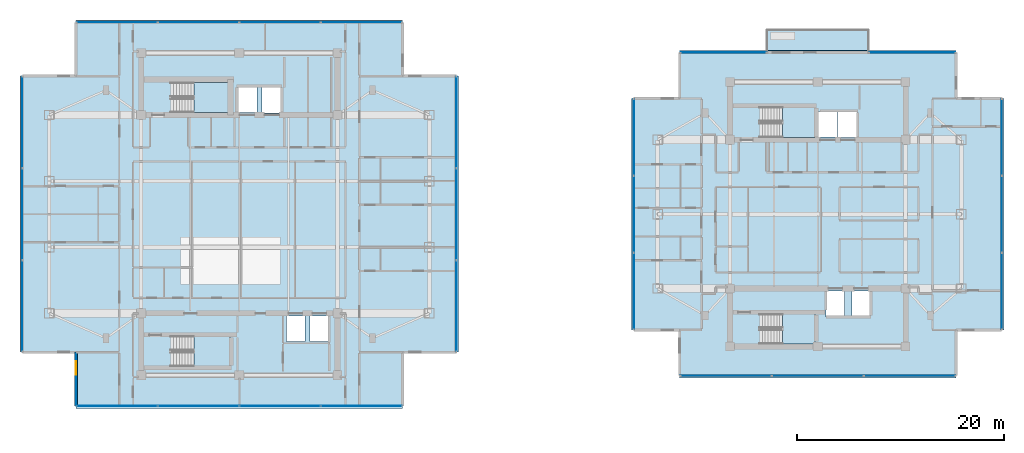
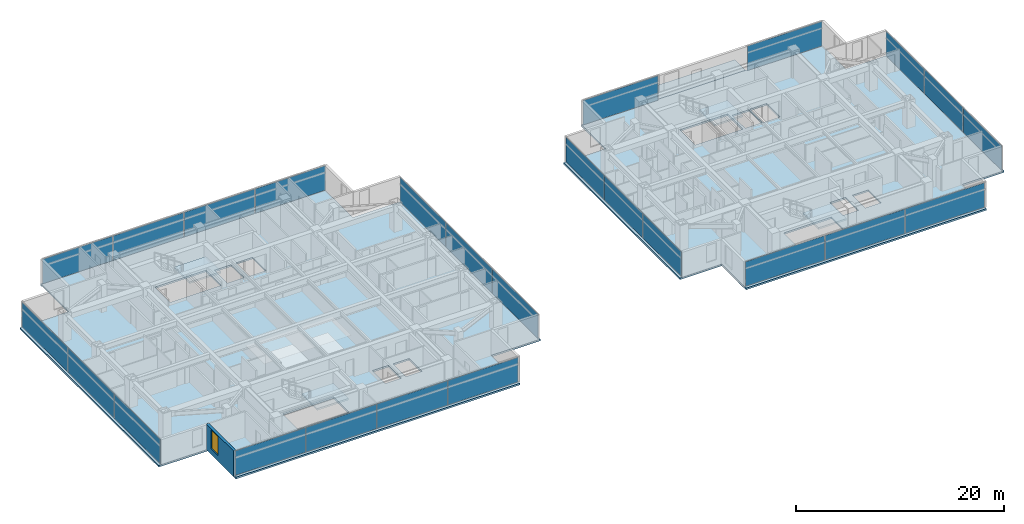
# One storey, part 12 of 26: 25 plates, 7 slabs, 1 wall, 1 window, 1 opening, 13 elements without a shape of their own.
"""IFC4 building model written with IfcOpenShell, lengths in metres."""

from ifc_helpers import new_model, si_unit, direction, frame, frame_2d, origin, origin_2d, place, context, subcontext, project, spatial, polyline, rectangle, outline, extrude, material, layer, layer_set, type_object, element, fill, aggregate, save


model = new_model("IFC4")

# Units and contexts
model_context = context("Model", 3, precision=1e-05, world=origin(), true_north=direction((0.0, 1.0)))
body_context = subcontext(model_context, "Body", "Model", "MODEL_VIEW")
ifc_project = project(units=[si_unit("LENGTHUNIT", "METRE"), si_unit("AREAUNIT", "SQUARE_METRE"), si_unit("VOLUMEUNIT", "CUBIC_METRE"), si_unit("PLANEANGLEUNIT", "RADIAN"), si_unit("MASSUNIT", "GRAM", prefix="KILO")], contexts=[model_context])

# Site, building, storey
site_placement = place(None, origin())
site = spatial("IfcSite", under=ifc_project, at=site_placement, CompositionType="ELEMENT")
building_placement = place(site_placement, origin())
building = spatial("IfcBuilding", under=site, at=building_placement, Name="Mirazonda Arch Towers", CompositionType="ELEMENT")
storey_placement = place(building_placement, frame((0.0, 0.0, 203.14990234375)))
storey = spatial("IfcBuildingStorey", under=building, at=storey_placement, Name="L58", CompositionType="ELEMENT", Elevation=203.14990234375)

# Curtain wall, plates
ifc_material_1 = material(Name="Anodised Aluminium and Low-E Glass", Category="aluminium")
curtain_wall_type = type_object("IfcCurtainWallType", Name="CW-RES-UNIT", PredefinedType="NOTDEFINED", material=ifc_material_1)
curtain_wall_1_placement = place(storey_placement, origin())
curtain_wall_1 = element("IfcCurtainWall", 1, at=curtain_wall_1_placement, inside=storey, type_object=curtain_wall_type, Name="L58 T1 S Facade CW-L58-T1-S", PredefinedType="NOTDEFINED")
ifc_material_2 = material(Name="Insulated Low-E Solar Glass", Category="glass")
ifc_layer_1 = layer(ifc_material_2, 0.0400390625, Name="PAN-CW-RES-UNIT")
ifc_layer_set_1 = layer_set([ifc_layer_1], Name="Insulated Low-E Solar Glass")
plate_type = type_object("IfcPlateType", Name="PAN-CW-RES-UNIT", PredefinedType="CURTAIN_PANEL", material=ifc_layer_set_1)
plate_1_placement = place(storey_placement, frame((32.327392578125, 9.422119140625, 0.0751953125), z_axis=(0.0, 0.0, 1.0), x_axis=(-1.0, 0.0, 0.0)))
plate_1 = element("IfcPlate", 2, at=plate_1_placement, type_object=plate_type, Name="CW-104 panel 1.1", PredefinedType="CURTAIN_PANEL", context=body_context, shape_type="SweptSolid", body=[
    extrude(rectangle(XDim=7.784912109375, YDim=0.0400390625, at=origin_2d()), origin(), (0.0, 0.0, 1.0), 2.8798828125),
])
plate_2_placement = place(storey_placement, frame((24.44873046875, 9.422119140625, 0.0751953125), z_axis=(0.0, 0.0, 1.0), x_axis=(-1.0, 0.0, 0.0)))
plate_2 = element("IfcPlate", 3, at=plate_2_placement, type_object=plate_type, Name="CW-104 panel 2.1", PredefinedType="CURTAIN_PANEL", context=body_context, shape_type="SweptSolid", body=[
    extrude(rectangle(XDim=7.822509765625, YDim=0.0400390625, at=origin_2d()), origin(), (0.0, 0.0, 1.0), 2.8798828125),
])
plate_3_placement = place(storey_placement, frame((16.55126953125, 9.422119140625, 0.0751953125), z_axis=(0.0, 0.0, 1.0), x_axis=(-1.0, 0.0, 0.0)))
plate_3 = element("IfcPlate", 4, at=plate_3_placement, type_object=plate_type, Name="CW-104 panel 3.1", PredefinedType="CURTAIN_PANEL", context=body_context, shape_type="SweptSolid", body=[
    extrude(rectangle(XDim=7.822509765625, YDim=0.0400390625, at=origin_2d()), origin(), (0.0, 0.0, 1.0), 2.8798828125),
])
plate_4_placement = place(storey_placement, frame((8.672607421875, 9.422119140625, 0.0751953125), z_axis=(0.0, 0.0, 1.0), x_axis=(-1.0, 0.0, 0.0)))
plate_4 = element("IfcPlate", 5, at=plate_4_placement, type_object=plate_type, Name="CW-104 panel 4.1", PredefinedType="CURTAIN_PANEL", context=body_context, shape_type="SweptSolid", body=[
    extrude(rectangle(XDim=7.784912109375, YDim=0.0400390625, at=origin_2d()), origin(), (0.0, 0.0, 1.0), 2.8798828125),
])
aggregate(curtain_wall_1, [plate_1, plate_2, plate_3, plate_4])

curtain_wall_2_placement = place(storey_placement, origin())
curtain_wall_2 = element("IfcCurtainWall", 6, at=curtain_wall_2_placement, inside=storey, type_object=curtain_wall_type, Name="L58 T1 E Facade CW-L58-T1-E", PredefinedType="NOTDEFINED")
plate_5_placement = place(storey_placement, frame((41.510009765625, 19.110107421875, 0.0751953125), z_axis=(0.0, 0.0, 1.0), x_axis=(0.0, 1.0, 0.0)))
plate_5 = element("IfcPlate", 7, at=plate_5_placement, type_object=plate_type, Name="CW-104 panel 1.1", PredefinedType="CURTAIN_PANEL", context=body_context, shape_type="SweptSolid", body=[
    extrude(rectangle(XDim=8.796142578125, YDim=0.0400390625, at=origin_2d()), origin(), (0.0, 0.0, 1.0), 2.8798828125),
])
plate_6_placement = place(storey_placement, frame((41.510009765625, 28.0, 0.0751953125), z_axis=(0.0, 0.0, 1.0), x_axis=(0.0, 1.0, 0.0)))
plate_6 = element("IfcPlate", 8, at=plate_6_placement, type_object=plate_type, Name="CW-104 panel 2.1", PredefinedType="CURTAIN_PANEL", context=body_context, shape_type="SweptSolid", body=[
    extrude(rectangle(XDim=8.833740234375, YDim=0.0400390625, at=origin_2d()), origin(), (0.0, 0.0, 1.0), 2.8798828125),
])
plate_7_placement = place(storey_placement, frame((41.510009765625, 36.889892578125, 0.0751953125), z_axis=(0.0, 0.0, 1.0), x_axis=(0.0, 1.0, 0.0)))
plate_7 = element("IfcPlate", 9, at=plate_7_placement, type_object=plate_type, Name="CW-104 panel 3.1", PredefinedType="CURTAIN_PANEL", context=body_context, shape_type="SweptSolid", body=[
    extrude(rectangle(XDim=8.796142578125, YDim=0.0400390625, at=origin_2d()), origin(), (0.0, 0.0, 1.0), 2.8798828125),
])
aggregate(curtain_wall_2, [plate_5, plate_6, plate_7])

curtain_wall_3_placement = place(storey_placement, origin())
curtain_wall_3 = element("IfcCurtainWall", 10, at=curtain_wall_3_placement, inside=storey, type_object=curtain_wall_type, Name="L58 T1 N Facade CW-L58-T1-N", PredefinedType="NOTDEFINED")
plate_8_placement = place(storey_placement, frame((8.672607421875, 46.577880859375, 0.0751953125), z_axis=(0.0, 0.0, 1.0), x_axis=(1.0, 0.0, 0.0)))
plate_8 = element("IfcPlate", 11, at=plate_8_placement, type_object=plate_type, Name="CW-104 panel 1.1", PredefinedType="CURTAIN_PANEL", context=body_context, shape_type="SweptSolid", body=[
    extrude(rectangle(XDim=7.784912109375, YDim=0.0400390625, at=origin_2d()), origin(), (0.0, 0.0, 1.0), 2.8798828125),
])
plate_9_placement = place(storey_placement, frame((16.55126953125, 46.577880859375, 0.0751953125), z_axis=(0.0, 0.0, 1.0), x_axis=(1.0, 0.0, 0.0)))
plate_9 = element("IfcPlate", 12, at=plate_9_placement, type_object=plate_type, Name="CW-104 panel 2.1", PredefinedType="CURTAIN_PANEL", context=body_context, shape_type="SweptSolid", body=[
    extrude(rectangle(XDim=7.822509765625, YDim=0.0400390625, at=origin_2d()), origin(), (0.0, 0.0, 1.0), 2.8798828125),
])
plate_10_placement = place(storey_placement, frame((24.44873046875, 46.577880859375, 0.0751953125), z_axis=(0.0, 0.0, 1.0), x_axis=(1.0, 0.0, 0.0)))
plate_10 = element("IfcPlate", 13, at=plate_10_placement, type_object=plate_type, Name="CW-104 panel 3.1", PredefinedType="CURTAIN_PANEL", context=body_context, shape_type="SweptSolid", body=[
    extrude(rectangle(XDim=7.822509765625, YDim=0.0400390625, at=origin_2d()), origin(), (0.0, 0.0, 1.0), 2.8798828125),
])
plate_11_placement = place(storey_placement, frame((32.327392578125, 46.577880859375, 0.0751953125), z_axis=(0.0, 0.0, 1.0), x_axis=(1.0, 0.0, 0.0)))
plate_11 = element("IfcPlate", 14, at=plate_11_placement, type_object=plate_type, Name="CW-104 panel 4.1", PredefinedType="CURTAIN_PANEL", context=body_context, shape_type="SweptSolid", body=[
    extrude(rectangle(XDim=7.784912109375, YDim=0.0400390625, at=origin_2d()), origin(), (0.0, 0.0, 1.0), 2.8798828125),
])
aggregate(curtain_wall_3, [plate_8, plate_9, plate_10, plate_11])

curtain_wall_4_placement = place(storey_placement, origin())
curtain_wall_4 = element("IfcCurtainWall", 15, at=curtain_wall_4_placement, inside=storey, type_object=curtain_wall_type, Name="L58 T1 W Facade CW-L58-T1-W", PredefinedType="NOTDEFINED")
plate_12_placement = place(storey_placement, frame((-0.510009765625, 36.889892578125, 0.0751953125), z_axis=(0.0, 0.0, 1.0), x_axis=(0.0, -1.0, 0.0)))
plate_12 = element("IfcPlate", 16, at=plate_12_placement, type_object=plate_type, Name="CW-104 panel 1.1", PredefinedType="CURTAIN_PANEL", context=body_context, shape_type="SweptSolid", body=[
    extrude(rectangle(XDim=8.796142578125, YDim=0.0400390625, at=origin_2d()), origin(), (0.0, 0.0, 1.0), 2.8798828125),
])
plate_13_placement = place(storey_placement, frame((-0.510009765625, 28.0, 0.0751953125), z_axis=(0.0, 0.0, 1.0), x_axis=(0.0, -1.0, 0.0)))
plate_13 = element("IfcPlate", 17, at=plate_13_placement, type_object=plate_type, Name="CW-104 panel 2.1", PredefinedType="CURTAIN_PANEL", context=body_context, shape_type="SweptSolid", body=[
    extrude(rectangle(XDim=8.833740234375, YDim=0.0400390625, at=origin_2d()), origin(), (0.0, 0.0, 1.0), 2.8798828125),
])
plate_14_placement = place(storey_placement, frame((-0.510009765625, 19.110107421875, 0.0751953125), z_axis=(0.0, 0.0, 1.0), x_axis=(0.0, -1.0, 0.0)))
plate_14 = element("IfcPlate", 18, at=plate_14_placement, type_object=plate_type, Name="CW-104 panel 3.1", PredefinedType="CURTAIN_PANEL", context=body_context, shape_type="SweptSolid", body=[
    extrude(rectangle(XDim=8.796142578125, YDim=0.0400390625, at=origin_2d()), origin(), (0.0, 0.0, 1.0), 2.8798828125),
])
aggregate(curtain_wall_4, [plate_12, plate_13, plate_14])

curtain_wall_5_placement = place(storey_placement, origin())
curtain_wall_5 = element("IfcCurtainWall", 19, at=curtain_wall_5_placement, inside=storey, type_object=curtain_wall_type, Name="L58 T2 S Facade CW-L58-T2-S", PredefinedType="NOTDEFINED")
plate_15_placement = place(storey_placement, frame((85.391845703125, 12.36181640625, 0.0751953125), z_axis=(0.0, 0.0, 1.0), x_axis=(-1.0, 0.0, 0.0)))
plate_15 = element("IfcPlate", 20, at=plate_15_placement, type_object=plate_type, Name="CW-104 panel 1.1", PredefinedType="CURTAIN_PANEL", context=body_context, shape_type="SweptSolid", body=[
    extrude(rectangle(XDim=8.798095703125, YDim=0.0400390625, at=origin_2d()), origin(), (0.0, 0.0, 1.0), 2.8798828125),
])
plate_16_placement = place(storey_placement, frame((76.5, 12.36181640625, 0.0751953125), z_axis=(0.0, 0.0, 1.0), x_axis=(-1.0, 0.0, 0.0)))
plate_16 = element("IfcPlate", 21, at=plate_16_placement, type_object=plate_type, Name="CW-104 panel 2.1", PredefinedType="CURTAIN_PANEL", context=body_context, shape_type="SweptSolid", body=[
    extrude(rectangle(XDim=8.83544921875, YDim=0.0400390625, at=origin_2d()), origin(), (0.0, 0.0, 1.0), 2.8798828125),
])
plate_17_placement = place(storey_placement, frame((67.608154296875, 12.36181640625, 0.0751953125), z_axis=(0.0, 0.0, 1.0), x_axis=(-1.0, 0.0, 0.0)))
plate_17 = element("IfcPlate", 22, at=plate_17_placement, type_object=plate_type, Name="CW-104 panel 3.1", PredefinedType="CURTAIN_PANEL", context=body_context, shape_type="SweptSolid", body=[
    extrude(rectangle(XDim=8.798095703125, YDim=0.0400390625, at=origin_2d()), origin(), (0.0, 0.0, 1.0), 2.8798828125),
])
aggregate(curtain_wall_5, [plate_15, plate_16, plate_17])

curtain_wall_6_placement = place(storey_placement, origin())
curtain_wall_6 = element("IfcCurtainWall", 23, at=curtain_wall_6_placement, inside=storey, type_object=curtain_wall_type, Name="L58 T2 E Facade CW-L58-T2-E", PredefinedType="NOTDEFINED")
plate_18_placement = place(storey_placement, frame((94.305419921875, 20.552978515625, 0.0751953125), z_axis=(0.0, 0.0, 1.0), x_axis=(0.0, 1.0, 0.0)))
plate_18 = element("IfcPlate", 24, at=plate_18_placement, type_object=plate_type, Name="CW-104 panel 1.1", PredefinedType="CURTAIN_PANEL", context=body_context, shape_type="SweptSolid", body=[
    extrude(rectangle(XDim=7.353271484375, YDim=0.0400390625, at=origin_2d()), origin(), (0.0, 0.0, 1.0), 2.8798828125),
])
plate_19_placement = place(storey_placement, frame((94.305419921875, 28.0, 0.0751953125), z_axis=(0.0, 0.0, 1.0), x_axis=(0.0, 1.0, 0.0)))
plate_19 = element("IfcPlate", 25, at=plate_19_placement, type_object=plate_type, Name="CW-104 panel 2.1", PredefinedType="CURTAIN_PANEL", context=body_context, shape_type="SweptSolid", body=[
    extrude(rectangle(XDim=7.390625, YDim=0.0400390625, at=origin_2d()), origin(), (0.0, 0.0, 1.0), 2.8798828125),
])
plate_20_placement = place(storey_placement, frame((94.305419921875, 35.447021484375, 0.0751953125), z_axis=(0.0, 0.0, 1.0), x_axis=(0.0, 1.0, 0.0)))
plate_20 = element("IfcPlate", 26, at=plate_20_placement, type_object=plate_type, Name="CW-104 panel 3.1", PredefinedType="CURTAIN_PANEL", context=body_context, shape_type="SweptSolid", body=[
    extrude(rectangle(XDim=7.353271484375, YDim=0.0400390625, at=origin_2d()), origin(), (0.0, 0.0, 1.0), 2.8798828125),
])
aggregate(curtain_wall_6, [plate_18, plate_19, plate_20])

# Curtain wall, plate
curtain_wall_7_placement = place(storey_placement, origin())
curtain_wall_7 = element("IfcCurtainWall", 27, at=curtain_wall_7_placement, inside=storey, type_object=curtain_wall_type, Name="L58 Curtain Wall CW-L58-T2-NA", PredefinedType="NOTDEFINED")
plate_21_placement = place(storey_placement, frame((67.3720703125, 43.63818359375, 0.0751953125), z_axis=(0.0, 0.0, 1.0), x_axis=(1.0, 0.0, 0.0)))
plate_21 = element("IfcPlate", 28, at=plate_21_placement, type_object=plate_type, Name="CW-104 panel 1.1", PredefinedType="CURTAIN_PANEL", context=body_context, shape_type="SweptSolid", body=[
    extrude(rectangle(XDim=8.32568359375, YDim=0.0400390625, at=origin_2d()), origin(), (0.0, 0.0, 1.0), 2.8798828125),
])
aggregate(curtain_wall_7, [plate_21])

curtain_wall_8_placement = place(storey_placement, origin())
curtain_wall_8 = element("IfcCurtainWall", 29, at=curtain_wall_8_placement, inside=storey, type_object=curtain_wall_type, Name="L58 Curtain Wall CW-L58-T2-NB", PredefinedType="NOTDEFINED")
plate_22_placement = place(storey_placement, frame((85.6279296875, 43.63818359375, 0.0751953125), z_axis=(0.0, 0.0, 1.0), x_axis=(1.0, 0.0, 0.0)))
plate_22 = element("IfcPlate", 30, at=plate_22_placement, type_object=plate_type, Name="CW-104 panel 1.1", PredefinedType="CURTAIN_PANEL", context=body_context, shape_type="SweptSolid", body=[
    extrude(rectangle(XDim=8.32568359375, YDim=0.0400390625, at=origin_2d()), origin(), (0.0, 0.0, 1.0), 2.8798828125),
])
aggregate(curtain_wall_8, [plate_22])

# Curtain wall, plates
curtain_wall_9_placement = place(storey_placement, origin())
curtain_wall_9 = element("IfcCurtainWall", 31, at=curtain_wall_9_placement, inside=storey, type_object=curtain_wall_type, Name="L58 T2 W Facade CW-L58-T2-W", PredefinedType="NOTDEFINED")
plate_23_placement = place(storey_placement, frame((58.694580078125, 35.447021484375, 0.0751953125), z_axis=(0.0, 0.0, 1.0), x_axis=(0.0, -1.0, 0.0)))
plate_23 = element("IfcPlate", 32, at=plate_23_placement, type_object=plate_type, Name="CW-104 panel 1.1", PredefinedType="CURTAIN_PANEL", context=body_context, shape_type="SweptSolid", body=[
    extrude(rectangle(XDim=7.353271484375, YDim=0.0400390625, at=origin_2d()), origin(), (0.0, 0.0, 1.0), 2.8798828125),
])
plate_24_placement = place(storey_placement, frame((58.694580078125, 28.0, 0.0751953125), z_axis=(0.0, 0.0, 1.0), x_axis=(0.0, -1.0, 0.0)))
plate_24 = element("IfcPlate", 33, at=plate_24_placement, type_object=plate_type, Name="CW-104 panel 2.1", PredefinedType="CURTAIN_PANEL", context=body_context, shape_type="SweptSolid", body=[
    extrude(rectangle(XDim=7.390625, YDim=0.0400390625, at=origin_2d()), origin(), (0.0, 0.0, 1.0), 2.8798828125),
])
plate_25_placement = place(storey_placement, frame((58.694580078125, 20.552978515625, 0.0751953125), z_axis=(0.0, 0.0, 1.0), x_axis=(0.0, -1.0, 0.0)))
plate_25 = element("IfcPlate", 34, at=plate_25_placement, type_object=plate_type, Name="CW-104 panel 3.1", PredefinedType="CURTAIN_PANEL", context=body_context, shape_type="SweptSolid", body=[
    extrude(rectangle(XDim=7.353271484375, YDim=0.0400390625, at=origin_2d()), origin(), (0.0, 0.0, 1.0), 2.8798828125),
])
aggregate(curtain_wall_9, [plate_23, plate_24, plate_25])

# Stair, slab
ifc_material_3 = material(Name="Concrete C40/50", Category="concrete")
stair_type = type_object("IfcStairType", Name="STAIR-CORE-1400", PredefinedType="HALF_TURN_STAIR", material=ifc_material_3)
stair_1_placement = place(storey_placement, origin())
stair_1 = element("IfcStair", 35, at=stair_1_placement, inside=storey, type_object=stair_type, Name="L58 Protected Exit Stair ST-T1N", PredefinedType="HALF_TURN_STAIR")
ifc_layer_2 = layer(ifc_material_3, 0.18994140625, Name="SLAB-LANDING-190")
ifc_layer_set_2 = layer_set([ifc_layer_2], Name="Concrete C40/50")
slab_type_1 = type_object("IfcSlabType", Name="SLAB-LANDING-190", PredefinedType="LANDING", material=ifc_layer_set_2)
slab_1_placement = place(storey_placement, frame((0.0, 0.0, 1.425048828125)))
slab_1 = element("IfcSlab", 36, at=slab_1_placement, type_object=slab_type_1, Name="ST-T1N landing 1", PredefinedType="LANDING", context=body_context, shape_type="SweptSolid", body=[
    extrude(outline(polyline([(16.090087890625, 37.820068359375), (19.60009765625, 37.820068359375), (19.60009765625, 40.760009765625), (16.090087890625, 40.760009765625), (16.090087890625, 37.820068359375)])), origin(), (0.0, 0.0, 1.0), 0.199951171875),
])
aggregate(stair_1, [slab_1])

stair_2_placement = place(storey_placement, origin())
stair_2 = element("IfcStair", 37, at=stair_2_placement, inside=storey, type_object=stair_type, Name="L58 Protected Exit Stair ST-T1S", PredefinedType="HALF_TURN_STAIR")
slab_2_placement = place(storey_placement, frame((0.0, 0.0, 1.425048828125)))
slab_2 = element("IfcSlab", 38, at=slab_2_placement, type_object=slab_type_1, Name="ST-T1S landing 1", PredefinedType="LANDING", context=body_context, shape_type="SweptSolid", body=[
    extrude(outline(polyline([(16.090087890625, 13.25), (19.60009765625, 13.25), (19.60009765625, 16.18994140625), (16.090087890625, 16.18994140625), (16.090087890625, 13.25)])), origin(), (0.0, 0.0, 1.0), 0.199951171875),
])
aggregate(stair_2, [slab_2])

stair_3_placement = place(storey_placement, origin())
stair_3 = element("IfcStair", 39, at=stair_3_placement, inside=storey, type_object=stair_type, Name="L58 Protected Exit Stair ST-T2N", PredefinedType="HALF_TURN_STAIR")
slab_3_placement = place(storey_placement, frame((0.0, 0.0, 1.425048828125)))
slab_3 = element("IfcSlab", 40, at=slab_3_placement, type_object=slab_type_1, Name="ST-T2N landing 1", PredefinedType="LANDING", context=body_context, shape_type="SweptSolid", body=[
    extrude(outline(polyline([(73.090087890625, 35.419921875), (76.22998046875, 35.419921875), (76.22998046875, 38.360107421875), (73.090087890625, 38.360107421875), (73.090087890625, 35.419921875)])), origin(), (0.0, 0.0, 1.0), 0.199951171875),
])
aggregate(stair_3, [slab_3])

stair_4_placement = place(storey_placement, origin())
stair_4 = element("IfcStair", 41, at=stair_4_placement, inside=storey, type_object=stair_type, Name="L58 Protected Exit Stair ST-T2S", PredefinedType="HALF_TURN_STAIR")
slab_4_placement = place(storey_placement, frame((0.0, 0.0, 1.425048828125)))
slab_4 = element("IfcSlab", 42, at=slab_4_placement, type_object=slab_type_1, Name="ST-T2S landing 1", PredefinedType="LANDING", context=body_context, shape_type="SweptSolid", body=[
    extrude(outline(polyline([(73.090087890625, 15.419921875), (76.22998046875, 15.419921875), (76.22998046875, 18.360107421875), (73.090087890625, 18.360107421875), (73.090087890625, 15.419921875)])), origin(), (0.0, 0.0, 1.0), 0.199951171875),
])
aggregate(stair_4, [slab_4])

# Slabs
ifc_layer_3 = layer(ifc_material_3, 0.2099609375, Name="SLAB-TERRACE-210")
ifc_layer_set_3 = layer_set([ifc_layer_3], Name="Concrete C40/50")
slab_type_2 = type_object("IfcSlabType", Name="SLAB-TERRACE-210", PredefinedType="FLOOR", material=ifc_layer_set_3)
slab_5_placement = place(storey_placement, frame((0.0, 0.0, -0.2099609375)))
element("IfcSlab", 43, at=slab_5_placement, inside=storey, type_object=slab_type_2, Name="L58 T2 Spiralling Sky-Terrace Balcony Slab", PredefinedType="FLOOR", context=body_context, shape_type="SweptSolid", body=[
    extrude(outline(polyline([(71.60009765625, 43.848388671875), (81.39990234375, 43.848388671875), (81.39990234375, 45.908203125), (71.60009765625, 45.908203125), (71.60009765625, 43.848388671875)])), origin(), (0.0, 0.0, 1.0), 0.2099609375),
])
ifc_layer_4 = layer(ifc_material_3, 0.199951171875, Name="SLAB-TWR-200")
ifc_layer_set_4 = layer_set([ifc_layer_4], Name="Concrete C40/50")
slab_type_3 = type_object("IfcSlabType", Name="SLAB-TWR-200", PredefinedType="FLOOR", material=ifc_layer_set_4)
slab_6_placement = place(storey_placement, frame((0.0, 0.0, -0.199951171875)))
element("IfcSlab", 44, at=slab_6_placement, inside=storey, type_object=slab_type_3, Name="L58 Tower 1 Floor Slab", PredefinedType="FLOOR", context=body_context, shape_type="SweptSolid", body=[
    extrude(outline(polyline([(4.705078125, 9.201904296875), (36.294921875, 9.201904296875), (36.294921875, 14.636962890625), (41.72998046875, 14.636962890625), (41.72998046875, 41.363037109375), (36.294921875, 41.363037109375), (36.294921875, 46.798095703125), (4.705078125, 46.798095703125), (4.705078125, 41.363037109375), (-0.72998046875, 41.363037109375), (-0.72998046875, 14.636962890625), (4.705078125, 14.636962890625), (4.705078125, 9.201904296875)]), holes=[polyline([(27.360107421875, 18.139892578125), (29.139892578125, 18.139892578125), (29.139892578125, 15.659912109375), (27.360107421875, 15.659912109375), (27.360107421875, 18.139892578125)]), polyline([(25.06005859375, 18.139892578125), (26.840087890625, 18.139892578125), (26.840087890625, 15.659912109375), (25.06005859375, 15.659912109375), (25.06005859375, 18.139892578125)]), polyline([(22.7099609375, 40.389892578125), (24.590087890625, 40.389892578125), (24.590087890625, 37.81005859375), (22.7099609375, 37.81005859375), (22.7099609375, 40.389892578125)]), polyline([(20.31005859375, 37.860107421875), (20.31005859375, 40.340087890625), (22.18994140625, 40.340087890625), (22.18994140625, 37.860107421875), (20.31005859375, 37.860107421875)]), polyline([(19.60009765625, 13.25), (13.925048828125, 13.25), (13.925048828125, 16.18994140625), (19.60009765625, 16.18994140625), (19.60009765625, 13.25)]), polyline([(13.925048828125, 37.820068359375), (13.925048828125, 40.760009765625), (19.60009765625, 40.760009765625), (19.60009765625, 37.820068359375), (13.925048828125, 37.820068359375)])]), origin(), (0.0, 0.0, 1.0), 0.199951171875),
])
slab_7_placement = place(storey_placement, frame((0.0, 0.0, -0.199951171875)))
element("IfcSlab", 45, at=slab_7_placement, inside=storey, type_object=slab_type_3, Name="L58 Tower 2 Floor Slab", PredefinedType="FLOOR", context=body_context, shape_type="SweptSolid", body=[
    extrude(outline(polyline([(63.13427734375, 12.1416015625), (89.86572265625, 12.1416015625), (89.86572265625, 16.801513671875), (94.525390625, 16.801513671875), (94.525390625, 39.198486328125), (89.86572265625, 39.198486328125), (89.86572265625, 43.8583984375), (63.13427734375, 43.8583984375), (63.13427734375, 39.198486328125), (58.474609375, 39.198486328125), (58.474609375, 16.801513671875), (63.13427734375, 16.801513671875), (63.13427734375, 12.1416015625)]), holes=[polyline([(79.81005859375, 20.5400390625), (81.590087890625, 20.5400390625), (81.590087890625, 18.06005859375), (79.81005859375, 18.06005859375), (79.81005859375, 20.5400390625)]), polyline([(78.47998046875, 37.989990234375), (80.360107421875, 37.989990234375), (80.360107421875, 35.409912109375), (78.47998046875, 35.409912109375), (78.47998046875, 37.989990234375)]), polyline([(77.31005859375, 20.5400390625), (79.090087890625, 20.5400390625), (79.090087890625, 18.06005859375), (77.31005859375, 18.06005859375), (77.31005859375, 20.5400390625)]), polyline([(76.510009765625, 35.4599609375), (76.510009765625, 37.93994140625), (78.389892578125, 37.93994140625), (78.389892578125, 35.4599609375), (76.510009765625, 35.4599609375)]), polyline([(76.22998046875, 15.419921875), (70.925048828125, 15.419921875), (70.925048828125, 18.360107421875), (76.22998046875, 18.360107421875), (76.22998046875, 15.419921875)]), polyline([(70.925048828125, 35.419921875), (70.925048828125, 38.360107421875), (76.22998046875, 38.360107421875), (76.22998046875, 35.419921875), (70.925048828125, 35.419921875)])]), origin(), (0.0, 0.0, 1.0), 0.199951171875),
])

# Wall, opening, window
ifc_material_4 = material(Name="Precast Concrete C40/50", Category="concrete")
ifc_layer_5 = layer(ifc_material_4, 0.280029296875, Name="WALL-EXT-WALL-280")
ifc_layer_set_5 = layer_set([ifc_layer_5], Name="Precast Concrete C40/50")
wall_type = type_object("IfcWallType", Name="WALL-EXT-WALL-280", PredefinedType="SOLIDWALL", material=ifc_layer_set_5)
wall_placement = place(storey_placement, frame((4.705078125, 14.636962890625, 0.0), z_axis=(0.0, 0.0, 1.0), x_axis=(0.0, -1.0, 0.0)))
wall = element("IfcWall", 46, at=wall_placement, inside=storey, type_object=wall_type, Name="L58 T1 Notched SW Corner Wall WL-L58-T1-CSW", PredefinedType="SOLIDWALL", context=body_context, shape_type="SweptSolid", body=[
    extrude(rectangle(XDim=5.21484375, YDim=0.280029296875, at=frame_2d((2.607421875, 0.0))), origin(), (0.0, 0.0, 1.0), 3.030029296875),
])
opening_placement = place(wall_placement, frame((0.85009765625, 0.0, 0.679931640625)))
opening = element("IfcOpeningElement", 47, at=opening_placement, cuts=wall, Name="Opening WN-104", PredefinedType="OPENING", context=body_context, shape_type="SweptSolid", body=[
    extrude(rectangle(XDim=1.35009765625, YDim=2.199951171875, at=frame_2d((0.675048828125, 1.10009765625))), frame((0.0, 0.14990234375, 0.0), z_axis=(0.0, -1.0, 0.0), x_axis=(1.0, 0.0, 0.0)), (0.0, 0.0, 1.0), 0.300048828125),
])
window_type = type_object("IfcWindowType", Name="WIN-RES-1350x2200", PartitioningType="SINGLE_PANEL", PredefinedType="WINDOW", material=ifc_material_2)
window_placement = place(opening_placement, origin())
window = element("IfcWindow", 48, at=window_placement, inside=storey, type_object=window_type, Name="L58 Punched Facade Window WN-L58-T1-CSW", OverallHeight=2.199951171875, OverallWidth=1.35009765625, PartitioningType="SINGLE_PANEL", PredefinedType="WINDOW", context=body_context, shape_type="SweptSolid", body=[
    extrude(rectangle(XDim=1.35009765625, YDim=2.199951171875, at=frame_2d((0.675048828125, 1.10009765625))), frame((0.0, 0.030029296875, 0.0), z_axis=(0.0, -1.0, 0.0), x_axis=(1.0, 0.0, 0.0)), (0.0, 0.0, 1.0), 0.06005859375),
])
fill(opening, window)

save(model, "model.ifc")
